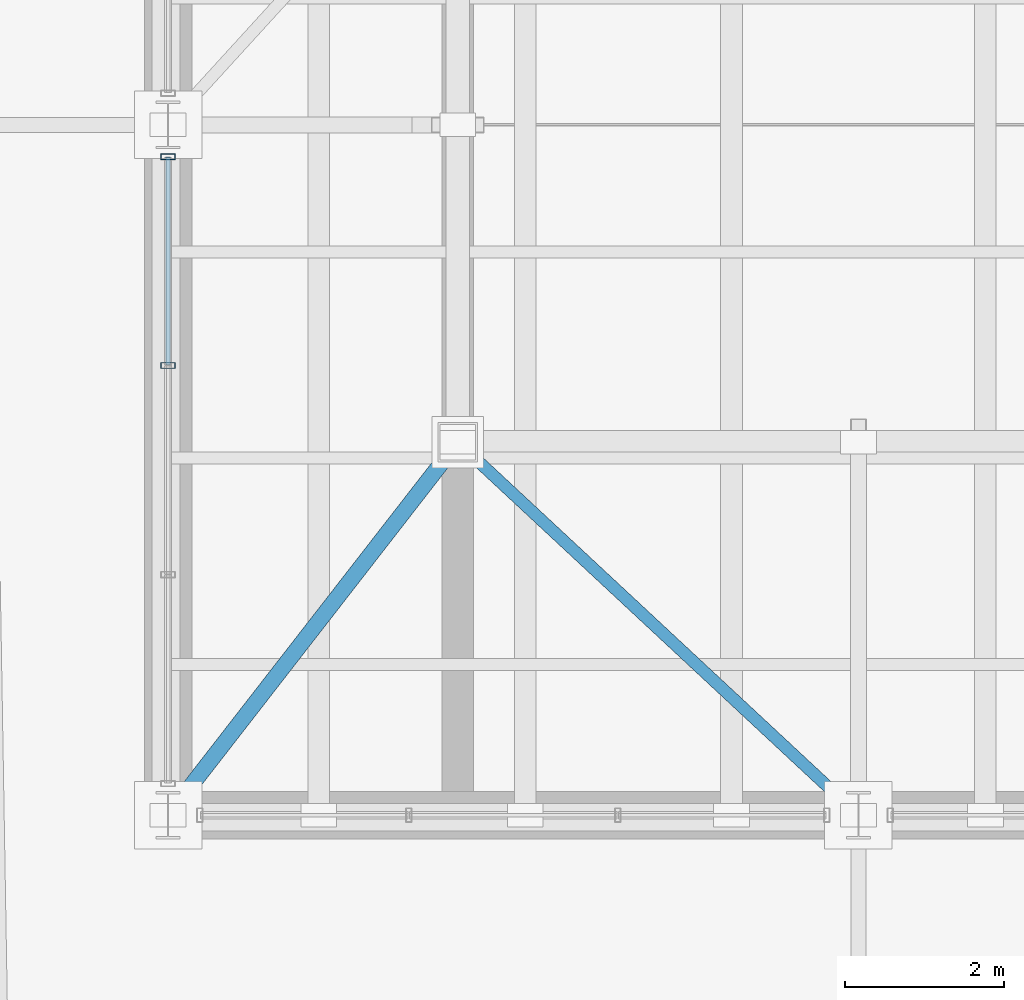
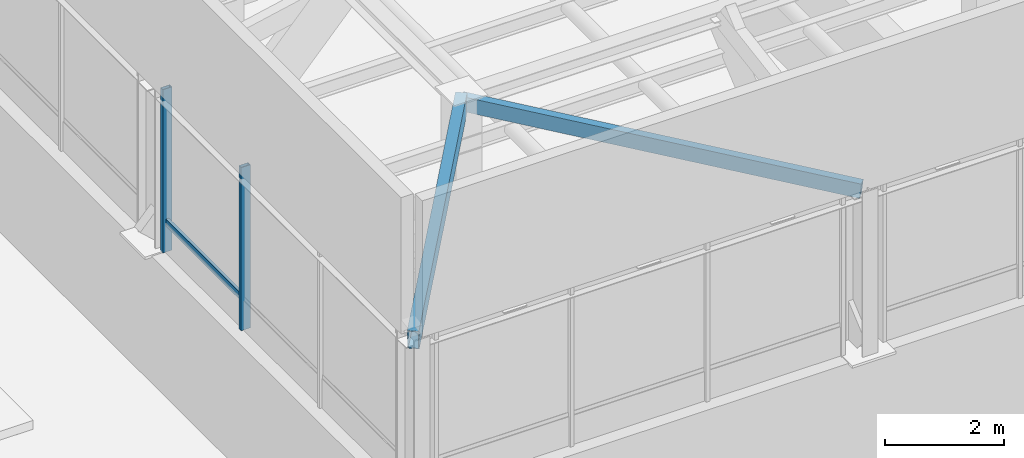
# One storey, part 7 of 22: 4 members, 1 beam, 1 element without a shape of its own.
"""IFC4 building model written with IfcOpenShell, lengths in metres."""

from ifc_helpers import new_model, si_unit, direction, frame, origin, origin_2d, place, context, subcontext, project, spatial, hollow_rectangle, extrude, material, layer, layer_set, material_profile, profile_set, type_object, element, aggregate, save


model = new_model("IFC4")

# Units and contexts
model_context = context("Model", 3, precision=1e-05, world=origin(), true_north=direction((0.0, 1.0)))
body_context = subcontext(model_context, "Body", "Model", "MODEL_VIEW")
ifc_project = project(units=[si_unit("LENGTHUNIT", "METRE"), si_unit("AREAUNIT", "SQUARE_METRE"), si_unit("VOLUMEUNIT", "CUBIC_METRE"), si_unit("PLANEANGLEUNIT", "RADIAN"), si_unit("MASSUNIT", "GRAM", prefix="KILO")], contexts=[model_context])

# Site, building, storey
site_placement = place(None, origin())
site = spatial("IfcSite", under=ifc_project, at=site_placement, CompositionType="ELEMENT")
building_placement = place(site_placement, origin())
building = spatial("IfcBuilding", under=site, at=building_placement, Name="Belovzor Exchange Tower", CompositionType="ELEMENT")
storey_placement = place(building_placement, frame((0.0, 0.0, 378.60009765625)))
storey = spatial("IfcBuildingStorey", under=building, at=storey_placement, Name="RF", CompositionType="ELEMENT", Elevation=378.60009765625)

# Beam
ifc_material_1 = material(Name="Steel S355", Category="steel")
ifc_material_profile_1 = material_profile(ifc_material_1, hollow_rectangle(XDim=0.199951171875, YDim=0.39990234375, WallThickness=0.012451171875, at=origin_2d()))
ifc_profile_set_1 = profile_set([ifc_material_profile_1], Name="Steel S355")
beam_type = type_object("IfcBeamType", Name="Crown Faceted Roof Rafter RHS 400x200x12.5", PredefinedType="BEAM", material=ifc_profile_set_1)
beam_placement = place(storey_placement, frame((20.10009765625, 20.10009765625, 5.7998046875), z_axis=(0.608281083468, 0.783278872096, 0.128328999148), x_axis=(-0.789809290804, 0.613352495845, 0.0)))
element("IfcBeam", 1, at=beam_placement, inside=storey, type_object=beam_type, Name="RR-400 Crown Faceted Roof Rafter RHS 400x200x12.5", PredefinedType="BEAM", context=body_context, shape_type="SweptSolid", body=[
    extrude(hollow_rectangle(XDim=0.199951171875, YDim=0.39990234375, WallThickness=0.012451171875, at=origin_2d()), origin(), (0.0, 0.0, 1.0), 6.000244140625),
])

# Member
ifc_material_2 = material(Name="Steel S355", Category="steel")
ifc_material_profile_2 = material_profile(ifc_material_2, hollow_rectangle(XDim=0.14990234375, YDim=0.300048828125, WallThickness=0.010009765625, at=origin_2d()))
ifc_profile_set_2 = profile_set([ifc_material_profile_2], Name="Steel S355")
member_type_1 = type_object("IfcMemberType", Name="Crown Portal Knee Brace RHS 300x150x10", PredefinedType="BRACE", material=ifc_profile_set_2)
member_1_placement = place(storey_placement, frame((28.800048828125, 20.10009765625, 5.849853515625), z_axis=(-0.728071234494, 0.677597260587, 0.103798988181), x_axis=(-0.681277319128, -0.732025419259, 0.0)))
element("IfcMember", 2, at=member_1_placement, inside=storey, type_object=member_type_1, Name="CB-220 Crown Portal Knee Brace RHS 300x150x10", PredefinedType="BRACE", context=body_context, shape_type="SweptSolid", body=[
    extrude(hollow_rectangle(XDim=0.14990234375, YDim=0.300048828125, WallThickness=0.010009765625, at=origin_2d()), origin(), (0.0, 0.0, 1.0), 6.936279296875),
])

# Curtain wall, members
ifc_material_3 = material(Name="Anodised Aluminium Framing", Category="aluminium")
ifc_layer = layer(ifc_material_3, 0.169921875)
ifc_layer_set = layer_set([ifc_layer], Name="Anodised Aluminium Framing")
curtain_wall_type = type_object("IfcCurtainWallType", Name="Stepped Crown Faceted Lantern Curtain Wall", PredefinedType="NOTDEFINED", material=ifc_layer_set)
curtain_wall_placement = place(storey_placement, origin())
curtain_wall = element("IfcCurtainWall", 3, at=curtain_wall_placement, inside=storey, type_object=curtain_wall_type, Name="CW6 Stepped Crown Faceted Lantern Curtain Wall RF", PredefinedType="NOTDEFINED")
ifc_material_4 = material(Name="Steel S355", Category="steel")
ifc_material_profile_3 = material_profile(ifc_material_4, hollow_rectangle(XDim=0.074951171875, YDim=0.179931640625, WallThickness=0.0048828125, at=origin_2d()))
ifc_profile_set_3 = profile_set([ifc_material_profile_3], Name="Steel S355")
member_type_2 = type_object("IfcMemberType", Name="Thermally Broken Curtain Wall Mullion 180x75", PredefinedType="MULLION", material=ifc_profile_set_3)
member_2_placement = place(storey_placement, frame((20.10009765625, 25.76708984375, 2.599853515625), z_axis=(0.0, 0.0, 1.0), x_axis=(0.0, 1.0, 0.0)))
member_2 = element("IfcMember", 4, at=member_2_placement, type_object=member_type_2, Name="CW-M180 Curtain Wall Mullion 3", PredefinedType="MULLION", context=body_context, shape_type="SweptSolid", body=[
    extrude(hollow_rectangle(XDim=0.074951171875, YDim=0.179931640625, WallThickness=0.0048828125, at=origin_2d()), origin(), (0.0, 0.0, 1.0), 3.35009765625),
])
member_3_placement = place(storey_placement, frame((20.10009765625, 28.39990234375, 2.599853515625), z_axis=(0.0, 0.0, 1.0), x_axis=(0.0, 1.0, 0.0)))
member_3 = element("IfcMember", 5, at=member_3_placement, type_object=member_type_2, Name="CW-M180 Curtain Wall Mullion 4", PredefinedType="MULLION", context=body_context, shape_type="SweptSolid", body=[
    extrude(hollow_rectangle(XDim=0.074951171875, YDim=0.179931640625, WallThickness=0.0048828125, at=origin_2d()), origin(), (0.0, 0.0, 1.0), 3.35009765625),
])
ifc_material_5 = material(Name="Steel S355", Category="steel")
ifc_material_profile_4 = material_profile(ifc_material_5, hollow_rectangle(XDim=0.06005859375, YDim=0.14990234375, WallThickness=0.00390625, at=origin_2d()))
ifc_profile_set_4 = profile_set([ifc_material_profile_4], Name="Steel S355")
member_type_3 = type_object("IfcMemberType", Name="Thermally Broken Curtain Wall Transom 150x60", PredefinedType="USERDEFINED", material=ifc_profile_set_4)
member_4_placement = place(storey_placement, frame((20.10009765625, 25.77490234375, 3.202880859375), z_axis=(0.0, 1.0, 0.0), x_axis=(-1.0, 0.0, 0.0)))
member_4 = element("IfcMember", 6, at=member_4_placement, type_object=member_type_3, Name="CW-T150 Curtain Wall Transom 3", ObjectType="TRANSOM", PredefinedType="USERDEFINED", context=body_context, shape_type="SweptSolid", body=[
    extrude(hollow_rectangle(XDim=0.06005859375, YDim=0.14990234375, WallThickness=0.00390625, at=origin_2d()), origin(), (0.0, 0.0, 1.0), 2.6171875),
])
aggregate(curtain_wall, [member_2, member_3, member_4])

save(model, "model.ifc")
